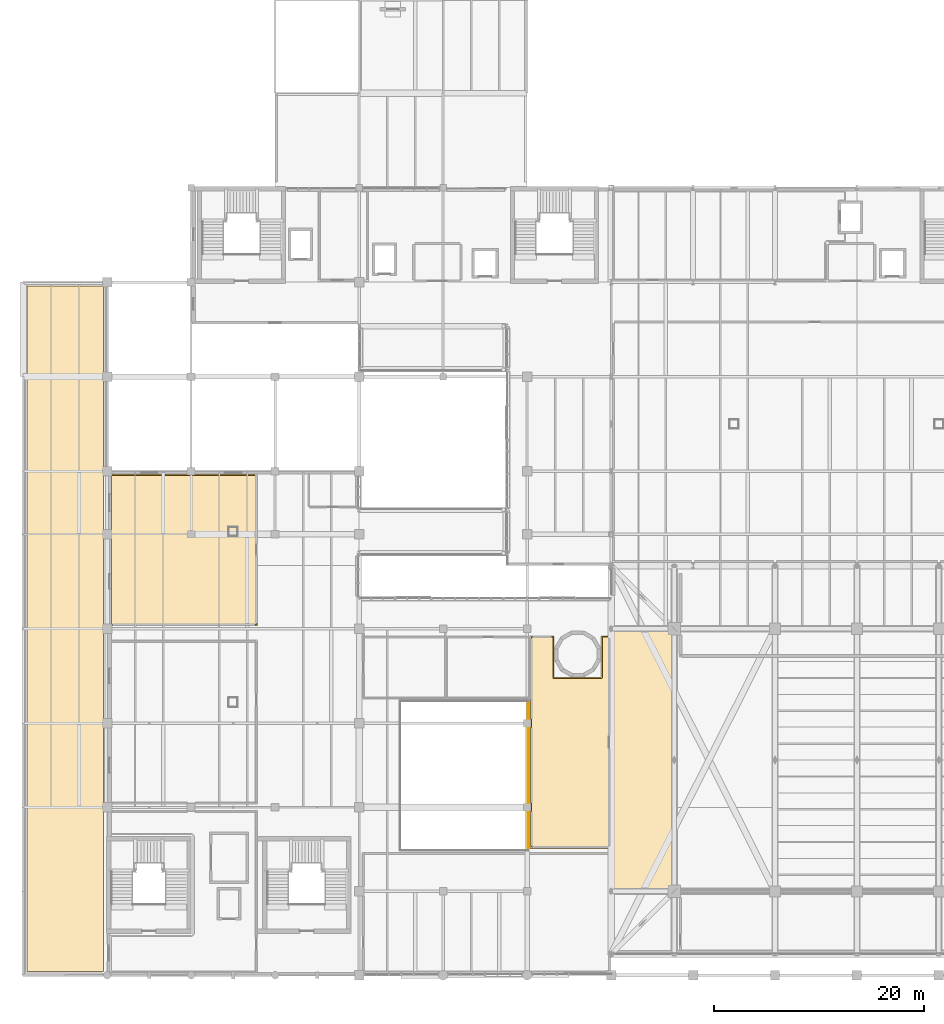
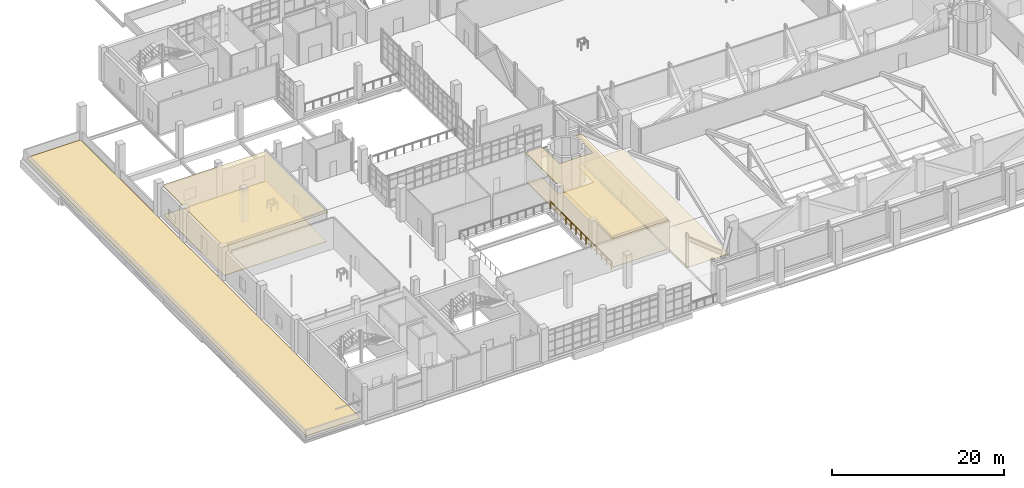
# One storey, part 122 of 127: 6 coverings, 1 railing.
"""IFC4 building model written with IfcOpenShell, lengths in metres."""

from ifc_helpers import new_model, si_unit, derived_unit, direction, frame, origin, origin_2d, place, context, subcontext, project, spatial, polyline, circle, outline, extrude, material, layer, layer_set, type_object, element, save


model = new_model("IFC4")

# Units and contexts
model_context = context("Model", 3, precision=1e-05, world=origin(), true_north=direction((0.0, 1.0)))
body_context = subcontext(model_context, "Body", "Model", "MODEL_VIEW")
ifc_project = project(units=[si_unit("LENGTHUNIT", "METRE"), si_unit("AREAUNIT", "SQUARE_METRE"), si_unit("VOLUMEUNIT", "CUBIC_METRE"), si_unit("PLANEANGLEUNIT", "RADIAN"), si_unit("MASSUNIT", "GRAM", prefix="KILO"), derived_unit("THERMALTRANSMITTANCEUNIT", [(si_unit("POWERUNIT", "WATT"), 1), (si_unit("LENGTHUNIT", "METRE"), -2), (si_unit("THERMODYNAMICTEMPERATUREUNIT", "KELVIN"), -1)])], contexts=[model_context])

# Site, building, storey
site_placement = place(None, origin())
site = spatial("IfcSite", under=ifc_project, at=site_placement, CompositionType="ELEMENT")
building_placement = place(site_placement, origin())
building = spatial("IfcBuilding", under=site, at=building_placement, Name="Nallur Shell Playhouse", CompositionType="ELEMENT")
storey_placement = place(building_placement, frame((0.0, 0.0, 5.39990234375)))
storey = spatial("IfcBuildingStorey", under=building, at=storey_placement, Name="L02", CompositionType="ELEMENT", Elevation=5.39990234375)

# Coverings
ifc_material_1 = material(Name="Micro-Perforated Teak Veneer Acoustic Baffle Ceiling")
ifc_layer_1 = layer(ifc_material_1, 0.044921875)
ifc_layer_set_1 = layer_set([ifc_layer_1], Name="Micro-Perforated Teak Veneer Acoustic Baffle Ceiling")
covering_type_1 = type_object("IfcCoveringType", Name="CV-CEIL-AC1", PredefinedType="CEILING", material=ifc_layer_set_1)
covering_1_placement = place(storey_placement, frame((0.0, 0.0, 4.205078125)))
element("IfcCovering", 1, at=covering_1_placement, inside=storey, type_object=covering_type_1, Name="Ensemble Chorus Dressing Room B suspended acoustic ceiling", PredefinedType="CEILING", context=body_context, shape_type="SweptSolid", body=[
    extrude(outline(polyline([(30.31005859375, 55.7099609375), (30.31005859375, 41.2900390625), (16.2900390625, 41.2900390625), (16.2900390625, 55.7099609375), (30.31005859375, 55.7099609375)])), origin(), (0.0, 0.0, 1.0), 0.044921875),
])
ifc_material_2 = material(Name="Mineral-Fibre High-NRC Suspended Ceiling Tile")
ifc_layer_2 = layer(ifc_material_2, 0.030029296875)
ifc_layer_set_2 = layer_set([ifc_layer_2], Name="Mineral-Fibre High-NRC Suspended Ceiling Tile")
covering_type_2 = type_object("IfcCoveringType", Name="CV-CEIL-AC2", PredefinedType="CEILING", material=ifc_layer_set_2)
covering_2_placement = place(storey_placement, frame((0.0, 0.0, 4.22021484375)))
element("IfcCovering", 2, at=covering_2_placement, inside=storey, type_object=covering_type_2, Name="Stalls Interval Champagne & Coffee Bar suspended acoustic ceiling", PredefinedType="CEILING", context=body_context, shape_type="SweptSolid", body=[
    extrude(outline(polyline([(58.56005859375, 40.31005859375), (58.56005859375, 36.360107421875), (63.0400390625, 36.360107421875), (63.0400390625, 40.31005859375), (63.909912109375, 40.31005859375), (63.909912109375, 20.090087890625), (56.2900390625, 20.090087890625), (56.2900390625, 40.31005859375), (58.56005859375, 40.31005859375)])), origin(), (0.0, 0.0, 1.0), 0.02978515625),
])
ifc_material_3 = material(Name="Polished Chettinad Oxide & White Marble Terrazzo Flooring", Category="masonry")
ifc_layer_3 = layer(ifc_material_3, 0.050048828125)
ifc_layer_set_3 = layer_set([ifc_layer_3], Name="Polished Chettinad Oxide & White Marble Terrazzo Flooring")
covering_type_3 = type_object("IfcCoveringType", Name="CV-FLOR-TERRAZZO", PredefinedType="FLOORING", material=ifc_layer_set_3)
covering_3_placement = place(storey_placement, origin())
element("IfcCovering", 3, at=covering_3_placement, inside=storey, type_object=covering_type_3, Name="Stalls Interval Champagne & Coffee Bar floor finish", PredefinedType="FLOORING", context=body_context, shape_type="SweptSolid", body=[
    extrude(outline(polyline([(58.47265625, 36.28662109375), (58.479248046875, 36.279296875), (58.486572265625, 36.272705078125), (58.494384765625, 36.266845703125), (58.5029296875, 36.26171875), (58.51171875, 36.257568359375), (58.52099609375, 36.25439453125), (58.530517578125, 36.251953125), (58.540283203125, 36.25048828125), (58.550048828125, 36.25), (63.050048828125, 36.25), (63.059814453125, 36.25048828125), (63.069580078125, 36.251953125), (63.0791015625, 36.25439453125), (63.08837890625, 36.257568359375), (63.09716796875, 36.26171875), (63.105712890625, 36.266845703125), (63.11328125, 36.272705078125), (63.12060546875, 36.279296875), (63.127197265625, 36.28662109375), (63.133056640625, 36.29443359375), (63.13818359375, 36.302978515625), (63.142333984375, 36.311767578125), (63.145751953125, 36.321044921875), (63.148193359375, 36.33056640625), (63.1494140625, 36.340087890625), (63.14990234375, 36.35009765625), (63.14990234375, 40.199951171875), (63.800048828125, 40.199951171875), (63.800048828125, 20.199951171875), (56.39990234375, 20.199951171875), (56.39990234375, 40.199951171875), (58.449951171875, 40.199951171875), (58.449951171875, 36.35009765625), (58.450439453125, 36.340087890625), (58.451904296875, 36.33056640625), (58.454345703125, 36.321044921875), (58.45751953125, 36.311767578125), (58.4619140625, 36.302978515625), (58.466796875, 36.29443359375), (58.47265625, 36.28662109375)])), origin(), (0.0, 0.0, 1.0), 0.050048828125),
])
covering_4_placement = place(storey_placement, origin())
element("IfcCovering", 4, at=covering_4_placement, inside=storey, type_object=covering_type_3, Name="Ensemble Chorus Dressing Room B floor finish", PredefinedType="FLOORING", context=body_context, shape_type="SweptSolid", body=[
    extrude(outline(polyline([(30.199951171875, 55.60009765625), (30.199951171875, 41.39990234375), (16.39990234375, 41.39990234375), (16.39990234375, 55.60009765625), (30.199951171875, 55.60009765625)])), origin(), (0.0, 0.0, 1.0), 0.050048828125),
])
ifc_material_4 = material(Name="TPO Reflective Waterproofing & Rigid PIR Roof Insulation")
ifc_layer_4 = layer(ifc_material_4, 0.06494140625)
ifc_layer_set_4 = layer_set([ifc_layer_4], Name="TPO Reflective Waterproofing & Rigid PIR Roof Insulation")
covering_type_4 = type_object("IfcCoveringType", Name="CV-ROOF-MEMB1", PredefinedType="ROOFING", material=ifc_layer_set_4)
covering_5_placement = place(storey_placement, origin())
element("IfcCovering", 5, at=covering_5_placement, inside=storey, type_object=covering_type_4, Name="L02 insulated waterproof roof covering 05", PredefinedType="ROOFING", context=body_context, shape_type="SweptSolid", body=[
    extrude(outline(polyline([(15.64990234375, 8.35009765625), (8.35009765625, 8.35009765625), (8.35009765625, 73.64990234375), (15.64990234375, 73.64990234375), (15.64990234375, 8.35009765625)])), origin(), (0.0, 0.0, 1.0), 0.065185546875),
])
ifc_material_5 = material(Name="Gold-Anodised Perforated Aluminium Cantilever Soffit", Category="aluminium")
ifc_layer_5 = layer(ifc_material_5, 0.044921875)
ifc_layer_set_5 = layer_set([ifc_layer_5], Name="Gold-Anodised Perforated Aluminium Cantilever Soffit")
covering_type_5 = type_object("IfcCoveringType", Name="CV-SOFFIT-CLAD", PredefinedType="CLADDING", material=ifc_layer_set_5)
covering_6_placement = place(storey_placement, frame((0.0, 0.0, -0.324951171875)))
element("IfcCovering", 6, at=covering_6_placement, inside=storey, type_object=covering_type_5, Name="Cantilevered Gold Box acoustic soffit cladding 03", PredefinedType="CLADDING", context=body_context, shape_type="SweptSolid", body=[
    extrude(outline(polyline([(64.199951171875, 16.199951171875), (69.800048828125, 16.199951171875), (69.800048828125, 40.800048828125), (64.199951171875, 40.800048828125), (64.199951171875, 16.199951171875)])), origin(), (0.0, 0.0, 1.0), 0.050048828125),
])

# Railing
ifc_material_6 = material(Name="Bronze-Anodised Foyer Void Acoustic Glass Guardrail", Category="glass")
railing_type = type_object("IfcRailingType", Name="RL-BAL-1100", PredefinedType="BALUSTRADE", material=ifc_material_6)
railing_placement = place(storey_placement, frame((56.10009765625, 19.89990234375, 0.0)))
element("IfcRailing", 7, at=railing_placement, inside=storey, type_object=railing_type, Name="L02 interior void balustrade 002", PredefinedType="BALUSTRADE", context=body_context, shape_type="SweptSolid", body=[
    extrude(circle(Radius=0.02392578125, at=origin_2d()), frame((0.0, 0.0, 1.09619140625), z_axis=(0.0, 1.0, 0.0), x_axis=(-1.0, 0.0, 0.0)), (0.0, 0.0, 1.0), 14.2001953125),
    extrude(circle(Radius=0.02099609375, at=origin_2d()), origin(), (0.0, 0.0, 1.0), 1.072021484375),
    extrude(circle(Radius=0.02099609375, at=origin_2d()), frame((0.0, 1.183349609375, 0.0)), (0.0, 0.0, 1.0), 1.072021484375),
    extrude(circle(Radius=0.02099609375, at=origin_2d()), frame((0.0, 2.36669921875, 0.0)), (0.0, 0.0, 1.0), 1.072021484375),
    extrude(circle(Radius=0.02099609375, at=origin_2d()), frame((0.0, 3.550048828125, 0.0)), (0.0, 0.0, 1.0), 1.072021484375),
    extrude(circle(Radius=0.02099609375, at=origin_2d()), frame((0.0, 4.7333984375, 0.0)), (0.0, 0.0, 1.0), 1.072021484375),
    extrude(circle(Radius=0.02099609375, at=origin_2d()), frame((0.0, 5.916748046875, 0.0)), (0.0, 0.0, 1.0), 1.072021484375),
    extrude(circle(Radius=0.02099609375, at=origin_2d()), frame((0.0, 7.10009765625, 0.0)), (0.0, 0.0, 1.0), 1.072021484375),
    extrude(circle(Radius=0.02099609375, at=origin_2d()), frame((0.0, 8.283447265625, 0.0)), (0.0, 0.0, 1.0), 1.072021484375),
    extrude(circle(Radius=0.02099609375, at=origin_2d()), frame((0.0, 9.466796875, 0.0)), (0.0, 0.0, 1.0), 1.072021484375),
    extrude(circle(Radius=0.02099609375, at=origin_2d()), frame((0.0, 10.650146484375, 0.0)), (0.0, 0.0, 1.0), 1.072021484375),
    extrude(circle(Radius=0.02099609375, at=origin_2d()), frame((0.0, 11.83349609375, 0.0)), (0.0, 0.0, 1.0), 1.072021484375),
    extrude(circle(Radius=0.02099609375, at=origin_2d()), frame((0.0, 13.016845703125, 0.0)), (0.0, 0.0, 1.0), 1.072021484375),
    extrude(circle(Radius=0.02099609375, at=origin_2d()), frame((0.0, 14.2001953125, 0.0)), (0.0, 0.0, 1.0), 1.072021484375),
])

save(model, "model.ifc")
